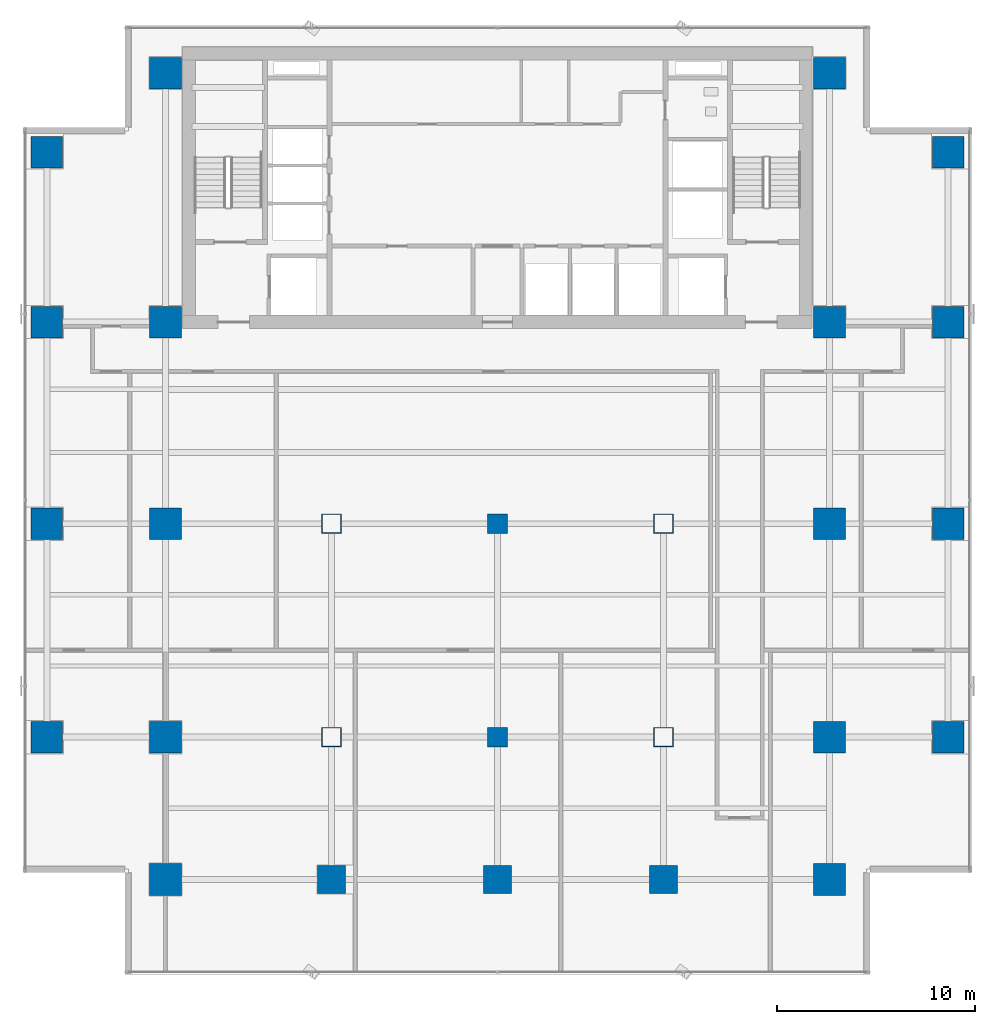
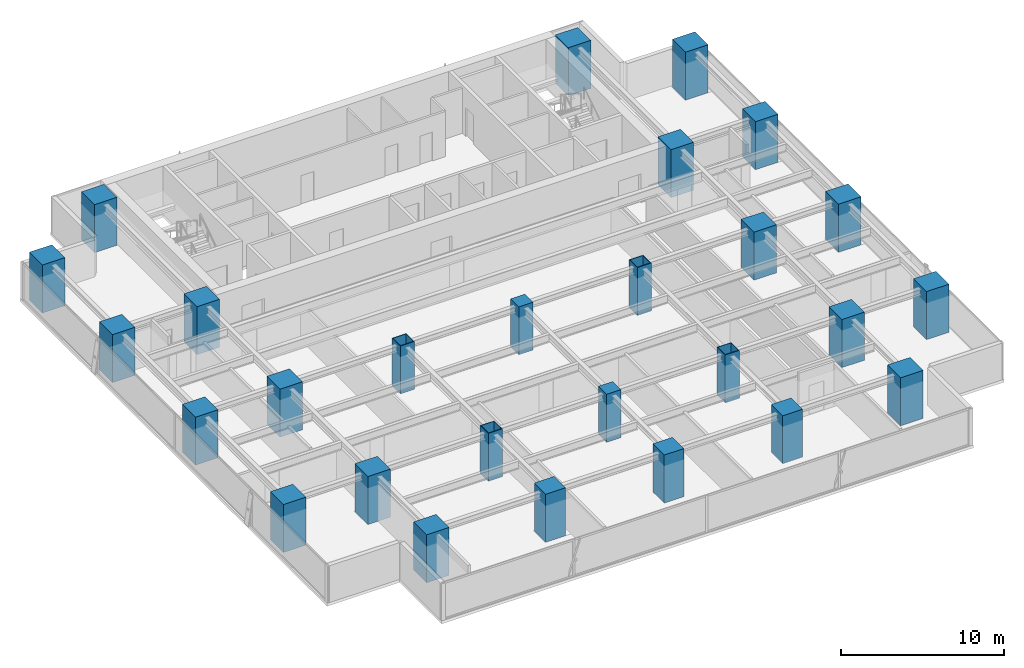
# One storey, part 1 of 28: 27 columns.
"""IFC4 building model written with IfcOpenShell, lengths in metres."""

from ifc_helpers import new_model, si_unit, direction, frame, origin, origin_2d, place, context, subcontext, project, spatial, rectangle, hollow_rectangle, extrude, source, transform, mapped, material, material_profile, profile_set, type_object, element, save


model = new_model("IFC4")

# Units and contexts
model_context = context("Model", 3, precision=1e-05, world=origin(), true_north=direction((0.0, 1.0)))
body_context = subcontext(model_context, "Body", "Model", "MODEL_VIEW")
ifc_project = project(units=[si_unit("LENGTHUNIT", "METRE"), si_unit("AREAUNIT", "SQUARE_METRE"), si_unit("VOLUMEUNIT", "CUBIC_METRE"), si_unit("PLANEANGLEUNIT", "RADIAN"), si_unit("MASSUNIT", "GRAM", prefix="KILO")], contexts=[model_context])

# Site, building, storey
site_placement = place(None, origin())
site = spatial("IfcSite", under=ifc_project, at=site_placement, CompositionType="ELEMENT")
building_placement = place(site_placement, origin())
building = spatial("IfcBuilding", under=site, at=building_placement, Name="Sumidabori Civic Tower", CompositionType="ELEMENT")
storey_placement = place(building_placement, frame((0.0, 0.0, 174.800048828125)))
storey = spatial("IfcBuildingStorey", under=building, at=storey_placement, Name="L45", CompositionType="ELEMENT", Elevation=174.800048828125)

# Columns
ifc_material_1 = material(Name="Concrete C60/75", Category="concrete")
ifc_material_profile_1 = material_profile(ifc_material_1, rectangle(XDim=1.60009765625, YDim=1.60009765625, at=origin_2d()), Name="RC 1600x1600")
ifc_profile_set_1 = profile_set([ifc_material_profile_1], Name="Concrete C60/75")
column_type_1 = type_object("IfcColumnType", Name="CL-MEGA-1600", PredefinedType="COLUMN", material=ifc_profile_set_1)
shared_shape_1 = source(origin(), body_context, "Body", "SweptSolid", [
    extrude(rectangle(XDim=1.60009765625, YDim=1.60009765625, at=origin_2d()), origin(), (0.0, 0.0, 1.0), 3.599853515625),
])
for number, where, z_axis, x_axis, name in (
    (1, (-16.800048828125, -18.0, 0.0), (0.0, 0.0, 1.0), (1.0, 0.0, 0.0), "Column MC-W16-Y18S L45"),
    (2, (-16.800048828125, -10.800048828125, 0.0), (0.0, 0.0, 1.0), (1.0, 0.0, 0.0), "Column MC-W16-Y11S L45"),
    (3, (-16.800048828125, 0.0, 0.0), (0.0, 0.0, 1.0), (1.0, 0.0, 0.0), "Column MC-W16-Y00 L45"),
    (4, (-16.800048828125, 10.199951171875, 0.0), (0.0, 0.0, 1.0), (1.0, 0.0, 0.0), "Column MC-W16-Y10N L45"),
    (5, (-16.800048828125, 22.800048828125, 0.0), (0.0, 0.0, 1.0), (1.0, 0.0, 0.0), "Column MC-W16-Y23N L45"),
    (6, (16.800048828125, -18.0, 0.0), (0.0, 0.0, 1.0), (1.0, 0.0, 0.0), "Column MC-E16-Y18S L45"),
    (7, (16.800048828125, -10.800048828125, 0.0), (0.0, 0.0, 1.0), (1.0, 0.0, 0.0), "Column MC-E16-Y11S L45"),
    (8, (16.800048828125, 0.0, 0.0), (0.0, 0.0, 1.0), (1.0, 0.0, 0.0), "Column MC-E16-Y00 L45"),
    (9, (16.800048828125, 10.199951171875, 0.0), (0.0, 0.0, 1.0), (1.0, 0.0, 0.0), "Column MC-E16-Y10N L45"),
    (10, (16.800048828125, 22.800048828125, 0.0), (0.0, 0.0, 1.0), (1.0, 0.0, 0.0), "Column MC-E16-Y23N L45"),
    (11, (-22.800048828125, -10.800048828125, 0.0), (0.0, 0.0, 1.0), (1.0, 0.0, 0.0), "Column MC-W23-Y11S L45"),
    (12, (-22.800048828125, 0.0, 0.0), (0.0, 0.0, 1.0), (1.0, 0.0, 0.0), "Column MC-W23-Y00 L45"),
    (13, (-22.800048828125, 10.199951171875, 0.0), (0.0, 0.0, 1.0), (1.0, 0.0, 0.0), "Column MC-W23-Y10N L45"),
    (14, (-22.800048828125, 18.800048828125, 0.0), (0.0, 0.0, 1.0), (1.0, 0.0, 0.0), "Column MC-W23-Y19N L45"),
    (15, (22.800048828125, -10.800048828125, 0.0), (0.0, 0.0, 1.0), (1.0, 0.0, 0.0), "Column MC-E23-Y11S L45"),
    (16, (22.800048828125, 0.0, 0.0), (0.0, 0.0, 1.0), (1.0, 0.0, 0.0), "Column MC-E23-Y00 L45"),
    (17, (22.800048828125, 10.199951171875, 0.0), (0.0, 0.0, 1.0), (1.0, 0.0, 0.0), "Column MC-E23-Y10N L45"),
    (18, (22.800048828125, 18.800048828125, 0.0), (0.0, 0.0, 1.0), (1.0, 0.0, 0.0), "Column MC-E23-Y19N L45"),
):
    element("IfcColumn", number, at=place(storey_placement, frame(where, z_axis=z_axis, x_axis=x_axis)), inside=storey, type_object=column_type_1, Name=name, PredefinedType="COLUMN", context=body_context, shape_type="MappedRepresentation", body=[
        mapped(shared_shape_1, transform((0.0, 0.0, 0.0), x_axis=(1.0, 0.0, 0.0), y_axis=(0.0, 1.0, 0.0), z_axis=(0.0, 0.0, 1.0), scale=1.0)),
    ])
ifc_material_2 = material(Name="Steel SM570", Category="steel")
ifc_material_profile_2 = material_profile(ifc_material_2, hollow_rectangle(XDim=1.0, YDim=1.0, WallThickness=0.044921875, at=origin_2d()), Name="SHS 1000x1000x45")
ifc_profile_set_2 = profile_set([ifc_material_profile_2], Name="Steel SM570")
column_type_2 = type_object("IfcColumnType", Name="CL-PORTAL-SHS1000", PredefinedType="COLUMN", material=ifc_profile_set_2)
shared_shape_2 = source(origin(), body_context, "Body", "SweptSolid", [
    extrude(hollow_rectangle(XDim=1.0, YDim=1.0, WallThickness=0.044921875, at=origin_2d()), origin(), (0.0, 0.0, 1.0), 3.599853515625),
])
for number, where, z_axis, x_axis, name in (
    (19, (-8.39990234375, 0.0, 0.0), (0.0, 0.0, 1.0), (1.0, 0.0, 0.0), "Column MC-W08-Y00 L45"),
    (20, (-8.39990234375, -10.800048828125, 0.0), (0.0, 0.0, 1.0), (1.0, 0.0, 0.0), "Column MC-W08-Y11S L45"),
    (21, (8.39990234375, 0.0, 0.0), (0.0, 0.0, 1.0), (1.0, 0.0, 0.0), "Column MC-E08-Y00 L45"),
    (22, (8.39990234375, -10.800048828125, 0.0), (0.0, 0.0, 1.0), (1.0, 0.0, 0.0), "Column MC-E08-Y11S L45"),
):
    element("IfcColumn", number, at=place(storey_placement, frame(where, z_axis=z_axis, x_axis=x_axis)), inside=storey, type_object=column_type_2, Name=name, PredefinedType="COLUMN", context=body_context, shape_type="MappedRepresentation", body=[
        mapped(shared_shape_2, transform((0.0, 0.0, 0.0), x_axis=(1.0, 0.0, 0.0), y_axis=(0.0, 1.0, 0.0), z_axis=(0.0, 0.0, 1.0), scale=1.0)),
    ])
ifc_material_profile_3 = material_profile(ifc_material_1, rectangle(XDim=1.39990234375, YDim=1.39990234375, at=origin_2d()), Name="RC 1400x1400")
ifc_profile_set_3 = profile_set([ifc_material_profile_3], Name="Concrete C60/75")
column_type_3 = type_object("IfcColumnType", Name="CL-MEGA-1400", PredefinedType="COLUMN", material=ifc_profile_set_3)
shared_shape_3 = source(origin(), body_context, "Body", "SweptSolid", [
    extrude(rectangle(XDim=1.39990234375, YDim=1.39990234375, at=origin_2d()), origin(), (0.0, 0.0, 1.0), 3.599853515625),
])
for number, where, z_axis, x_axis, name in (
    (23, (-8.39990234375, -18.0, 0.0), (0.0, 0.0, 1.0), (1.0, 0.0, 0.0), "Column MC-W08-Y18S L45"),
    (24, (8.39990234375, -18.0, 0.0), (0.0, 0.0, 1.0), (1.0, 0.0, 0.0), "Column MC-E08-Y18S L45"),
    (25, (0.0, -18.0, 0.0), (0.0, 0.0, 1.0), (1.0, 0.0, 0.0), "Column MC-C00-Y18S L45"),
):
    element("IfcColumn", number, at=place(storey_placement, frame(where, z_axis=z_axis, x_axis=x_axis)), inside=storey, type_object=column_type_3, Name=name, PredefinedType="COLUMN", context=body_context, shape_type="MappedRepresentation", body=[
        mapped(shared_shape_3, transform((0.0, 0.0, 0.0), x_axis=(1.0, 0.0, 0.0), y_axis=(0.0, 1.0, 0.0), z_axis=(0.0, 0.0, 1.0), scale=1.0)),
    ])
ifc_material_3 = material(Name="Concrete C50/60", Category="concrete")
ifc_material_profile_4 = material_profile(ifc_material_3, rectangle(XDim=1.0, YDim=1.0, at=origin_2d()), Name="RC 1000x1000")
ifc_profile_set_4 = profile_set([ifc_material_profile_4], Name="Concrete C50/60")
column_type_4 = type_object("IfcColumnType", Name="CL-INT-1000", PredefinedType="COLUMN", material=ifc_profile_set_4)
shared_shape_4 = source(origin(), body_context, "Body", "SweptSolid", [
    extrude(rectangle(XDim=1.0, YDim=1.0, at=origin_2d()), origin(), (0.0, 0.0, 1.0), 3.599853515625),
])
for number, where, z_axis, x_axis, name in (
    (26, (0.0, -10.800048828125, 0.0), (0.0, 0.0, 1.0), (1.0, 0.0, 0.0), "Column MC-C00-Y11S L45"),
    (27, (0.0, 0.0, 0.0), (0.0, 0.0, 1.0), (1.0, 0.0, 0.0), "Column MC-C00-Y00 L45"),
):
    element("IfcColumn", number, at=place(storey_placement, frame(where, z_axis=z_axis, x_axis=x_axis)), inside=storey, type_object=column_type_4, Name=name, PredefinedType="COLUMN", context=body_context, shape_type="MappedRepresentation", body=[
        mapped(shared_shape_4, transform((0.0, 0.0, 0.0), x_axis=(1.0, 0.0, 0.0), y_axis=(0.0, 1.0, 0.0), z_axis=(0.0, 0.0, 1.0), scale=1.0)),
    ])

save(model, "model.ifc")
